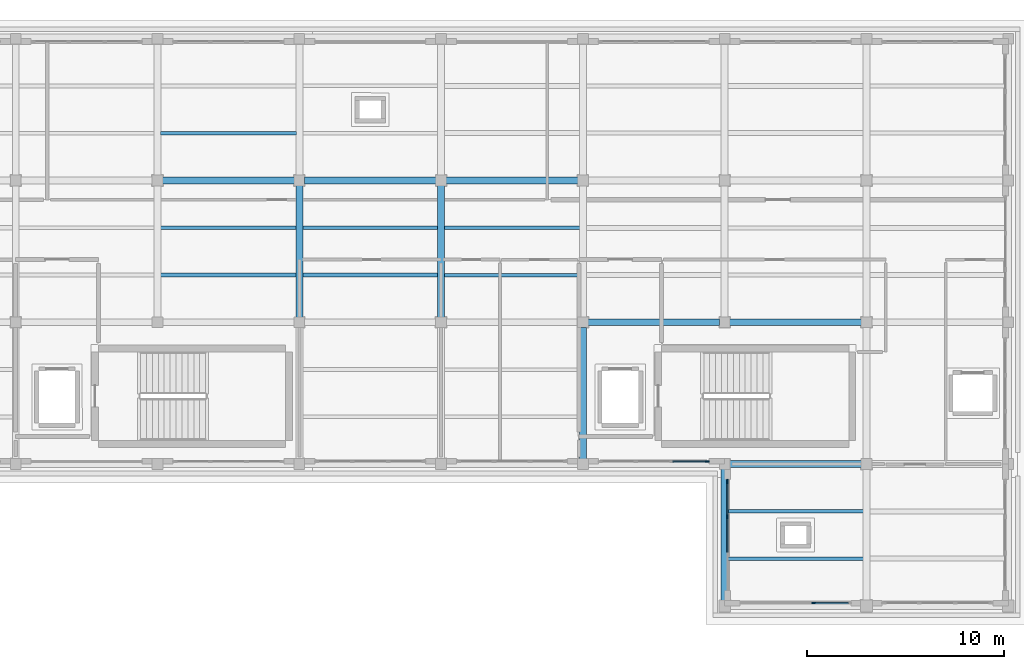
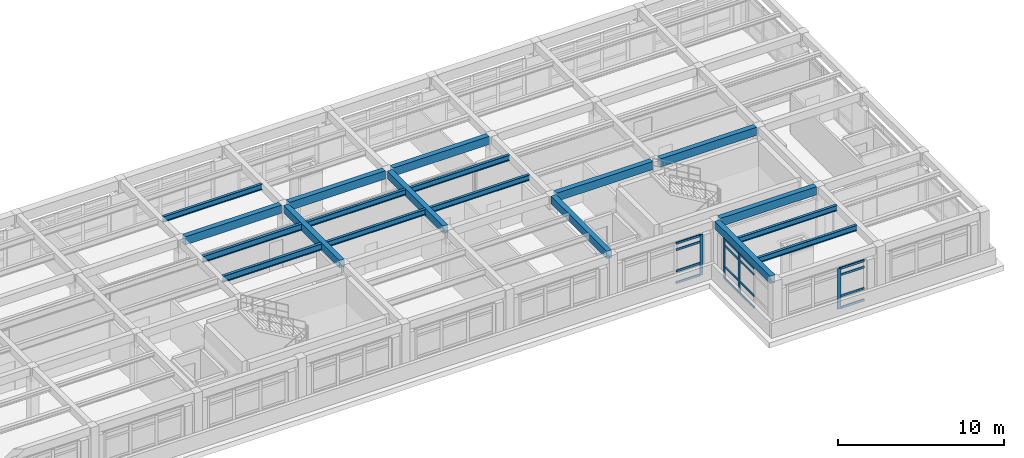
# One storey, part 6 of 21: 20 members, 19 beams, 3 elements without a shape of their own.
"""IFC4 building model written with IfcOpenShell, lengths in metres."""

from ifc_helpers import new_model, si_unit, direction, frame, origin, origin_2d, place, context, subcontext, project, spatial, rectangle, i_section, extrude, material, layer, layer_set, material_profile, profile_set, type_object, element, aggregate, save


model = new_model("IFC4")

# Units and contexts
model_context = context("Model", 3, precision=1e-05, world=origin(), true_north=direction((0.0, 1.0)))
body_context = subcontext(model_context, "Body", "Model", "MODEL_VIEW")
ifc_project = project(units=[si_unit("LENGTHUNIT", "METRE"), si_unit("AREAUNIT", "SQUARE_METRE"), si_unit("VOLUMEUNIT", "CUBIC_METRE"), si_unit("PLANEANGLEUNIT", "RADIAN"), si_unit("MASSUNIT", "GRAM", prefix="KILO")], contexts=[model_context])

# Site, building, storey
site_placement = place(None, origin())
site = spatial("IfcSite", under=ifc_project, at=site_placement, CompositionType="ELEMENT")
building_placement = place(site_placement, origin())
building = spatial("IfcBuilding", under=site, at=building_placement, Name="Solenvale Faculty of Natural Sciences", CompositionType="ELEMENT")
storey_placement = place(building_placement, frame((0.0, 0.0, 31.199951171875)))
storey = spatial("IfcBuildingStorey", under=building, at=storey_placement, Name="L07", CompositionType="ELEMENT", Elevation=31.199951171875)

# Beams
ifc_material_1 = material(Name="Concrete 40 MPa", Category="concrete")
ifc_material_profile_1 = material_profile(ifc_material_1, rectangle(XDim=0.35009765625, YDim=0.550048828125, at=origin_2d()), Name="RC-BM-350x550")
ifc_profile_set_1 = profile_set([ifc_material_profile_1], Name="Concrete 40 MPa")
beam_type_1 = type_object("IfcBeamType", Name="BM-RC-350x550", PredefinedType="BEAM", material=ifc_profile_set_1)
for number, where, z_axis, x_axis, name in (
    (1, (115.199951171875, 101.054931640625, 3.64501953125), (0.0, 1.0, 0.0), (-1.0, 0.0, 0.0), "L07 Y-Girder X115.2 (100.8..108.0)"),
    (2, (122.39990234375, 101.054931640625, 3.64501953125), (0.0, 1.0, 0.0), (-1.0, 0.0, 0.0), "L07 Y-Girder X122.4 (100.8..108.0)"),
):
    element("IfcBeam", number, at=place(storey_placement, frame(where, z_axis=z_axis, x_axis=x_axis)), inside=storey, type_object=beam_type_1, Name=name, PredefinedType="BEAM", context=body_context, shape_type="SweptSolid", body=[
        extrude(rectangle(XDim=0.35009765625, YDim=0.550048828125, at=origin_2d()), origin(), (0.0, 0.0, 1.0), 6.690185546875),
    ])
beam_1_placement = place(storey_placement, frame((129.60009765625, 93.85498046875, 3.64501953125), z_axis=(0.0, 1.0, 0.0), x_axis=(-1.0, 0.0, 0.0)))
element("IfcBeam", 3, at=beam_1_placement, inside=storey, type_object=beam_type_1, Name="L07 Y-Girder X129.6 (93.6..100.8)", PredefinedType="BEAM", context=body_context, shape_type="SweptSolid", body=[
    extrude(rectangle(XDim=0.35009765625, YDim=0.550048828125, at=origin_2d()), origin(), (0.0, 0.0, 1.0), 6.68994140625),
])
beam_2_placement = place(storey_placement, frame((136.800048828125, 86.679931640625, 3.64501953125), z_axis=(0.0, 1.0, 0.0), x_axis=(-1.0, 0.0, 0.0)))
element("IfcBeam", 4, at=beam_2_placement, inside=storey, type_object=beam_type_1, Name="L07 Y-Girder X136.8 (86.4..93.6)", PredefinedType="BEAM", context=body_context, shape_type="SweptSolid", body=[
    extrude(rectangle(XDim=0.35009765625, YDim=0.550048828125, at=origin_2d()), origin(), (0.0, 0.0, 1.0), 6.6650390625),
])
ifc_material_profile_2 = material_profile(ifc_material_1, rectangle(XDim=0.35009765625, YDim=0.60009765625, at=origin_2d()), Name="RC-BM-350x600")
ifc_profile_set_2 = profile_set([ifc_material_profile_2], Name="Concrete 40 MPa")
beam_type_2 = type_object("IfcBeamType", Name="BM-RC-350x600", PredefinedType="BEAM", material=ifc_profile_set_2)
beam_3_placement = place(storey_placement, frame((137.054931640625, 93.60009765625, 3.6201171875), z_axis=(1.0, 0.0, 0.0), x_axis=(0.0, 1.0, 0.0)))
element("IfcBeam", 5, at=beam_3_placement, inside=storey, type_object=beam_type_2, Name="L07 X-Girder Y93.6 (136.8..144.0)", PredefinedType="BEAM", context=body_context, shape_type="SweptSolid", body=[
    extrude(rectangle(XDim=0.35009765625, YDim=0.60009765625, at=origin_2d()), origin(), (0.0, 0.0, 1.0), 6.690185546875),
])
beam_4_placement = place(storey_placement, frame((129.85498046875, 100.800048828125, 3.6201171875), z_axis=(1.0, 0.0, 0.0), x_axis=(0.0, 1.0, 0.0)))
element("IfcBeam", 6, at=beam_4_placement, inside=storey, type_object=beam_type_2, Name="L07 X-Girder Y100.8 (129.6..136.8)", PredefinedType="BEAM", context=body_context, shape_type="SweptSolid", body=[
    extrude(rectangle(XDim=0.35009765625, YDim=0.60009765625, at=origin_2d()), origin(), (0.0, 0.0, 1.0), 6.68994140625),
])
for number, where, z_axis, x_axis, name in (
    (7, (137.054931640625, 100.800048828125, 3.6201171875), (1.0, 0.0, 0.0), (0.0, 1.0, 0.0), "L07 X-Girder Y100.8 (136.8..144.0)"),
    (8, (108.2548828125, 108.0, 3.6201171875), (1.0, 0.0, 0.0), (0.0, 1.0, 0.0), "L07 X-Girder Y108.0 (108.0..115.2)"),
):
    element("IfcBeam", number, at=place(storey_placement, frame(where, z_axis=z_axis, x_axis=x_axis)), inside=storey, type_object=beam_type_2, Name=name, PredefinedType="BEAM", context=body_context, shape_type="SweptSolid", body=[
        extrude(rectangle(XDim=0.35009765625, YDim=0.60009765625, at=origin_2d()), origin(), (0.0, 0.0, 1.0), 6.690185546875),
    ])
for number, where, z_axis, x_axis, name in (
    (9, (115.455078125, 108.0, 3.6201171875), (1.0, 0.0, 0.0), (0.0, 1.0, 0.0), "L07 X-Girder Y108.0 (115.2..122.4)"),
    (10, (122.655029296875, 108.0, 3.6201171875), (1.0, 0.0, 0.0), (0.0, 1.0, 0.0), "L07 X-Girder Y108.0 (122.4..129.6)"),
):
    element("IfcBeam", number, at=place(storey_placement, frame(where, z_axis=z_axis, x_axis=x_axis)), inside=storey, type_object=beam_type_2, Name=name, PredefinedType="BEAM", context=body_context, shape_type="SweptSolid", body=[
        extrude(rectangle(XDim=0.35009765625, YDim=0.60009765625, at=origin_2d()), origin(), (0.0, 0.0, 1.0), 6.68994140625),
    ])
ifc_material_2 = material(Name="Steel S355", Category="steel")
ifc_material_profile_3 = material_profile(ifc_material_2, i_section(OverallWidth=0.178955078125, OverallDepth=0.409912109375, WebThickness=0.0087890625, FlangeThickness=0.014404296875, FilletRadius=0.01611328125, at=origin_2d()), Name="W410x67")
ifc_profile_set_3 = profile_set([ifc_material_profile_3], Name="Steel S355")
beam_type_3 = type_object("IfcBeamType", Name="BM-STL-W410x67", PredefinedType="JOIST", material=ifc_profile_set_3)
for number, where, z_axis, x_axis, name in (
    (11, (122.554931640625, 103.199951171875, 3.715087890625), (1.0, 0.0, 0.0), (0.0, 1.0, 0.0), "L07 Composite Floor Joist (18,15).1"),
    (12, (122.554931640625, 105.60009765625, 3.715087890625), (1.0, 0.0, 0.0), (0.0, 1.0, 0.0), "L07 Composite Floor Joist (18,15).2"),
):
    element("IfcBeam", number, at=place(storey_placement, frame(where, z_axis=z_axis, x_axis=x_axis)), inside=storey, type_object=beam_type_3, Name=name, PredefinedType="JOIST", context=body_context, shape_type="SweptSolid", body=[
        extrude(i_section(OverallWidth=0.178955078125, OverallDepth=0.409912109375, WebThickness=0.0087890625, FlangeThickness=0.014404296875, FilletRadius=0.01611328125, at=origin_2d()), origin(), (0.0, 0.0, 1.0), 6.89013671875),
    ])
for number, where, z_axis, x_axis, name in (
    (13, (136.955078125, 88.800048828125, 3.715087890625), (1.0, 0.0, 0.0), (0.0, 1.0, 0.0), "L07 Composite Floor Joist (20,13).1"),
    (14, (136.955078125, 91.199951171875, 3.715087890625), (1.0, 0.0, 0.0), (0.0, 1.0, 0.0), "L07 Composite Floor Joist (20,13).2"),
):
    element("IfcBeam", number, at=place(storey_placement, frame(where, z_axis=z_axis, x_axis=x_axis)), inside=storey, type_object=beam_type_3, Name=name, PredefinedType="JOIST", context=body_context, shape_type="SweptSolid", body=[
        extrude(i_section(OverallWidth=0.178955078125, OverallDepth=0.409912109375, WebThickness=0.0087890625, FlangeThickness=0.014404296875, FilletRadius=0.01611328125, at=origin_2d()), origin(), (0.0, 0.0, 1.0), 6.889892578125),
    ])
ifc_material_profile_4 = material_profile(ifc_material_2, i_section(OverallWidth=0.180908203125, OverallDepth=0.4169921875, WebThickness=0.010986328125, FlangeThickness=0.018310546875, FilletRadius=0.01611328125, at=origin_2d()), Name="W410x85")
ifc_profile_set_4 = profile_set([ifc_material_profile_4], Name="Steel S355")
beam_type_4 = type_object("IfcBeamType", Name="BM-STL-W410x85", PredefinedType="JOIST", material=ifc_profile_set_4)
beam_5_placement = place(storey_placement, frame((108.155029296875, 110.39990234375, 3.711669921875), z_axis=(1.0, 0.0, 0.0), x_axis=(0.0, 1.0, 0.0)))
element("IfcBeam", 15, at=beam_5_placement, inside=storey, type_object=beam_type_4, Name="L07 Composite Floor Joist (16,16).1", PredefinedType="JOIST", context=body_context, shape_type="SweptSolid", body=[
    extrude(i_section(OverallWidth=0.180908203125, OverallDepth=0.4169921875, WebThickness=0.010986328125, FlangeThickness=0.018310546875, FilletRadius=0.01611328125, at=origin_2d()), origin(), (0.0, 0.0, 1.0), 6.889892578125),
])
for number, where, z_axis, x_axis, name in (
    (16, (115.35498046875, 103.199951171875, 3.711669921875), (1.0, 0.0, 0.0), (0.0, 1.0, 0.0), "L07 Composite Floor Joist (17,15).1"),
    (17, (115.35498046875, 105.60009765625, 3.711669921875), (1.0, 0.0, 0.0), (0.0, 1.0, 0.0), "L07 Composite Floor Joist (17,15).2"),
):
    element("IfcBeam", number, at=place(storey_placement, frame(where, z_axis=z_axis, x_axis=x_axis)), inside=storey, type_object=beam_type_4, Name=name, PredefinedType="JOIST", context=body_context, shape_type="SweptSolid", body=[
        extrude(i_section(OverallWidth=0.180908203125, OverallDepth=0.4169921875, WebThickness=0.010986328125, FlangeThickness=0.018310546875, FilletRadius=0.01611328125, at=origin_2d()), origin(), (0.0, 0.0, 1.0), 6.89013671875),
    ])
ifc_material_profile_5 = material_profile(ifc_material_2, i_section(OverallWidth=0.19091796875, OverallDepth=0.4599609375, WebThickness=0.010009765625, FlangeThickness=0.01611328125, FilletRadius=0.01806640625, at=origin_2d()), Name="W460x82")
ifc_profile_set_5 = profile_set([ifc_material_profile_5], Name="Steel S355")
beam_type_5 = type_object("IfcBeamType", Name="BM-STL-W460x82", PredefinedType="JOIST", material=ifc_profile_set_5)
for number, where, z_axis, x_axis, name in (
    (18, (108.155029296875, 103.199951171875, 3.68994140625), (1.0, 0.0, 0.0), (0.0, 1.0, 0.0), "L07 Composite Floor Joist (16,15).1"),
    (19, (108.155029296875, 105.60009765625, 3.68994140625), (1.0, 0.0, 0.0), (0.0, 1.0, 0.0), "L07 Composite Floor Joist (16,15).2"),
):
    element("IfcBeam", number, at=place(storey_placement, frame(where, z_axis=z_axis, x_axis=x_axis)), inside=storey, type_object=beam_type_5, Name=name, PredefinedType="JOIST", context=body_context, shape_type="SweptSolid", body=[
        extrude(i_section(OverallWidth=0.19091796875, OverallDepth=0.4599609375, WebThickness=0.010009765625, FlangeThickness=0.01611328125, FilletRadius=0.01806640625, at=origin_2d()), origin(), (0.0, 0.0, 1.0), 6.889892578125),
    ])

# Curtain wall, member
ifc_material_3 = material(Name="Anodised bronze aluminium", Category="aluminium")
ifc_layer = layer(ifc_material_3, 0.179931640625)
ifc_layer_set = layer_set([ifc_layer], Name="Anodised bronze aluminium")
curtain_wall_type = type_object("IfcCurtainWallType", Name="CW-TWR-MOD", PredefinedType="USERDEFINED", material=ifc_layer_set)
curtain_wall_1_placement = place(storey_placement, origin())
curtain_wall_1 = element("IfcCurtainWall", 20, at=curtain_wall_1_placement, inside=storey, type_object=curtain_wall_type, Name="L07 Curtain Wall CW-L07-P1-E4-B7", ObjectType="UNITISED CURTAIN WALL", PredefinedType="USERDEFINED")
ifc_material_profile_6 = material_profile(ifc_material_3, rectangle(XDim=0.074951171875, YDim=0.2099609375, at=origin_2d()), Name="ALU-MUL-75x210")
ifc_profile_set_6 = profile_set([ifc_material_profile_6], Name="Anodised bronze aluminium")
member_type_1 = type_object("IfcMemberType", Name="CWM-ALU-75x210", PredefinedType="MULLION", material=ifc_profile_set_6)
member_1_placement = place(storey_placement, frame((135.91259765625, 93.742431640625, 0.0), z_axis=(0.0, 0.0, 1.0), x_axis=(0.0, 1.0, 0.0)))
member_1 = element("IfcMember", 21, at=member_1_placement, type_object=member_type_1, Name="CW-04 mullion 4", PredefinedType="MULLION", context=body_context, shape_type="SweptSolid", body=[
    extrude(rectangle(XDim=0.074951171875, YDim=0.2099609375, at=origin_2d()), origin(), (0.0, 0.0, 1.0), 2.9599609375),
])

# Curtain wall, members
curtain_wall_2_placement = place(storey_placement, origin())
curtain_wall_2 = element("IfcCurtainWall", 22, at=curtain_wall_2_placement, inside=storey, type_object=curtain_wall_type, Name="L07 Curtain Wall CW-L07-P1-E5-B1", ObjectType="UNITISED CURTAIN WALL", PredefinedType="USERDEFINED")
member_2_placement = place(storey_placement, frame((136.9423828125, 92.71240234375, 0.0), z_axis=(0.0, 0.0, 1.0), x_axis=(1.0, 0.0, 0.0)))
member_2 = element("IfcMember", 23, at=member_2_placement, type_object=member_type_1, Name="CW-04 mullion 1", PredefinedType="MULLION", context=body_context, shape_type="SweptSolid", body=[
    extrude(rectangle(XDim=0.074951171875, YDim=0.2099609375, at=origin_2d()), origin(), (0.0, 0.0, 1.0), 2.9599609375),
])
member_3_placement = place(storey_placement, frame((136.9423828125, 90.916748046875, 0.0), z_axis=(0.0, 0.0, 1.0), x_axis=(1.0, 0.0, 0.0)))
member_3 = element("IfcMember", 24, at=member_3_placement, type_object=member_type_1, Name="CW-04 mullion 2", PredefinedType="MULLION", context=body_context, shape_type="SweptSolid", body=[
    extrude(rectangle(XDim=0.074951171875, YDim=0.2099609375, at=origin_2d()), origin(), (0.0, 0.0, 1.0), 2.9599609375),
])

# Curtain wall, member
curtain_wall_3_placement = place(storey_placement, origin())
curtain_wall_3 = element("IfcCurtainWall", 25, at=curtain_wall_3_placement, inside=storey, type_object=curtain_wall_type, Name="L07 Curtain Wall CW-L07-P1-E6-B1", ObjectType="UNITISED CURTAIN WALL", PredefinedType="USERDEFINED")
member_4_placement = place(storey_placement, frame((141.316650390625, 86.54248046875, 0.0), z_axis=(0.0, 0.0, 1.0), x_axis=(0.0, 1.0, 0.0)))
member_4 = element("IfcMember", 26, at=member_4_placement, type_object=member_type_1, Name="CW-04 mullion 3", PredefinedType="MULLION", context=body_context, shape_type="SweptSolid", body=[
    extrude(rectangle(XDim=0.074951171875, YDim=0.2099609375, at=origin_2d()), origin(), (0.0, 0.0, 1.0), 2.9599609375),
])

# Member
ifc_material_profile_7 = material_profile(ifc_material_3, rectangle(XDim=0.074951171875, YDim=0.155029296875, at=origin_2d()), Name="ALU-TRN-75x155")
ifc_profile_set_7 = profile_set([ifc_material_profile_7], Name="Anodised bronze aluminium")
member_type_2 = type_object("IfcMemberType", Name="CWT-ALU-75x155", PredefinedType="USERDEFINED", material=ifc_profile_set_7)
member_5_placement = place(storey_placement, frame((134.154052734375, 93.742431640625, 0.03759765625), z_axis=(1.0, 0.0, 0.0), x_axis=(0.0, 1.0, 0.0)))
member_5 = element("IfcMember", 27, at=member_5_placement, type_object=member_type_2, Name="CW-04 transom 3.1", ObjectType="TRANSOM", PredefinedType="USERDEFINED", context=body_context, shape_type="SweptSolid", body=[
    extrude(rectangle(XDim=0.074951171875, YDim=0.155029296875, at=origin_2d()), origin(), (0.0, 0.0, 1.0), 1.720947265625),
])

member_6_placement = place(storey_placement, frame((134.154052734375, 93.742431640625, 0.900146484375), z_axis=(1.0, 0.0, 0.0), x_axis=(0.0, 1.0, 0.0)))
member_6 = element("IfcMember", 28, at=member_6_placement, type_object=member_type_2, Name="CW-04 transom 3.2", ObjectType="TRANSOM", PredefinedType="USERDEFINED", context=body_context, shape_type="SweptSolid", body=[
    extrude(rectangle(XDim=0.074951171875, YDim=0.155029296875, at=origin_2d()), origin(), (0.0, 0.0, 1.0), 1.720947265625),
])

member_7_placement = place(storey_placement, frame((134.154052734375, 93.742431640625, 2.4599609375), z_axis=(1.0, 0.0, 0.0), x_axis=(0.0, 1.0, 0.0)))
member_7 = element("IfcMember", 29, at=member_7_placement, type_object=member_type_2, Name="CW-04 transom 3.3", ObjectType="TRANSOM", PredefinedType="USERDEFINED", context=body_context, shape_type="SweptSolid", body=[
    extrude(rectangle(XDim=0.074951171875, YDim=0.155029296875, at=origin_2d()), origin(), (0.0, 0.0, 1.0), 1.720947265625),
])

member_8_placement = place(storey_placement, frame((134.154052734375, 93.742431640625, 2.922607421875), z_axis=(1.0, 0.0, 0.0), x_axis=(0.0, 1.0, 0.0)))
member_8 = element("IfcMember", 30, at=member_8_placement, type_object=member_type_2, Name="CW-04 transom 3.4", ObjectType="TRANSOM", PredefinedType="USERDEFINED", context=body_context, shape_type="SweptSolid", body=[
    extrude(rectangle(XDim=0.074951171875, YDim=0.155029296875, at=origin_2d()), origin(), (0.0, 0.0, 1.0), 1.720947265625),
])

aggregate(curtain_wall_1, [member_1, member_5, member_6, member_7, member_8])

member_9_placement = place(storey_placement, frame((136.9423828125, 92.675048828125, 0.03759765625), z_axis=(0.0, -1.0, 0.0), x_axis=(1.0, 0.0, 0.0)))
member_9 = element("IfcMember", 31, at=member_9_placement, type_object=member_type_2, Name="CW-04 transom 1.1", ObjectType="TRANSOM", PredefinedType="USERDEFINED", context=body_context, shape_type="SweptSolid", body=[
    extrude(rectangle(XDim=0.074951171875, YDim=0.155029296875, at=origin_2d()), origin(), (0.0, 0.0, 1.0), 1.720947265625),
])

member_10_placement = place(storey_placement, frame((136.9423828125, 92.675048828125, 0.900146484375), z_axis=(0.0, -1.0, 0.0), x_axis=(1.0, 0.0, 0.0)))
member_10 = element("IfcMember", 32, at=member_10_placement, type_object=member_type_2, Name="CW-04 transom 1.2", ObjectType="TRANSOM", PredefinedType="USERDEFINED", context=body_context, shape_type="SweptSolid", body=[
    extrude(rectangle(XDim=0.074951171875, YDim=0.155029296875, at=origin_2d()), origin(), (0.0, 0.0, 1.0), 1.720947265625),
])

member_11_placement = place(storey_placement, frame((136.9423828125, 92.675048828125, 2.4599609375), z_axis=(0.0, -1.0, 0.0), x_axis=(1.0, 0.0, 0.0)))
member_11 = element("IfcMember", 33, at=member_11_placement, type_object=member_type_2, Name="CW-04 transom 1.3", ObjectType="TRANSOM", PredefinedType="USERDEFINED", context=body_context, shape_type="SweptSolid", body=[
    extrude(rectangle(XDim=0.074951171875, YDim=0.155029296875, at=origin_2d()), origin(), (0.0, 0.0, 1.0), 1.720947265625),
])

member_12_placement = place(storey_placement, frame((136.9423828125, 92.675048828125, 2.922607421875), z_axis=(0.0, -1.0, 0.0), x_axis=(1.0, 0.0, 0.0)))
member_12 = element("IfcMember", 34, at=member_12_placement, type_object=member_type_2, Name="CW-04 transom 1.4", ObjectType="TRANSOM", PredefinedType="USERDEFINED", context=body_context, shape_type="SweptSolid", body=[
    extrude(rectangle(XDim=0.074951171875, YDim=0.155029296875, at=origin_2d()), origin(), (0.0, 0.0, 1.0), 1.720947265625),
])

member_13_placement = place(storey_placement, frame((136.9423828125, 90.879150390625, 0.03759765625), z_axis=(0.0, -1.0, 0.0), x_axis=(1.0, 0.0, 0.0)))
member_13 = element("IfcMember", 35, at=member_13_placement, type_object=member_type_2, Name="CW-04 transom 2.1", ObjectType="TRANSOM", PredefinedType="USERDEFINED", context=body_context, shape_type="SweptSolid", body=[
    extrude(rectangle(XDim=0.074951171875, YDim=0.155029296875, at=origin_2d()), origin(), (0.0, 0.0, 1.0), 1.75830078125),
])

member_14_placement = place(storey_placement, frame((136.9423828125, 90.879150390625, 0.900146484375), z_axis=(0.0, -1.0, 0.0), x_axis=(1.0, 0.0, 0.0)))
member_14 = element("IfcMember", 36, at=member_14_placement, type_object=member_type_2, Name="CW-04 transom 2.2", ObjectType="TRANSOM", PredefinedType="USERDEFINED", context=body_context, shape_type="SweptSolid", body=[
    extrude(rectangle(XDim=0.074951171875, YDim=0.155029296875, at=origin_2d()), origin(), (0.0, 0.0, 1.0), 1.75830078125),
])

member_15_placement = place(storey_placement, frame((136.9423828125, 90.879150390625, 2.4599609375), z_axis=(0.0, -1.0, 0.0), x_axis=(1.0, 0.0, 0.0)))
member_15 = element("IfcMember", 37, at=member_15_placement, type_object=member_type_2, Name="CW-04 transom 2.3", ObjectType="TRANSOM", PredefinedType="USERDEFINED", context=body_context, shape_type="SweptSolid", body=[
    extrude(rectangle(XDim=0.074951171875, YDim=0.155029296875, at=origin_2d()), origin(), (0.0, 0.0, 1.0), 1.75830078125),
])

member_16_placement = place(storey_placement, frame((136.9423828125, 90.879150390625, 2.922607421875), z_axis=(0.0, -1.0, 0.0), x_axis=(1.0, 0.0, 0.0)))
member_16 = element("IfcMember", 38, at=member_16_placement, type_object=member_type_2, Name="CW-04 transom 2.4", ObjectType="TRANSOM", PredefinedType="USERDEFINED", context=body_context, shape_type="SweptSolid", body=[
    extrude(rectangle(XDim=0.074951171875, YDim=0.155029296875, at=origin_2d()), origin(), (0.0, 0.0, 1.0), 1.75830078125),
])

aggregate(curtain_wall_2, [member_2, member_3, member_9, member_10, member_11, member_12, member_13, member_14, member_15, member_16])

member_17_placement = place(storey_placement, frame((141.354248046875, 86.54248046875, 0.03759765625), z_axis=(1.0, 0.0, 0.0), x_axis=(0.0, 1.0, 0.0)))
member_17 = element("IfcMember", 39, at=member_17_placement, type_object=member_type_2, Name="CW-04 transom 3.1", ObjectType="TRANSOM", PredefinedType="USERDEFINED", context=body_context, shape_type="SweptSolid", body=[
    extrude(rectangle(XDim=0.074951171875, YDim=0.155029296875, at=origin_2d()), origin(), (0.0, 0.0, 1.0), 1.720703125),
])

member_18_placement = place(storey_placement, frame((141.354248046875, 86.54248046875, 0.900146484375), z_axis=(1.0, 0.0, 0.0), x_axis=(0.0, 1.0, 0.0)))
member_18 = element("IfcMember", 40, at=member_18_placement, type_object=member_type_2, Name="CW-04 transom 3.2", ObjectType="TRANSOM", PredefinedType="USERDEFINED", context=body_context, shape_type="SweptSolid", body=[
    extrude(rectangle(XDim=0.074951171875, YDim=0.155029296875, at=origin_2d()), origin(), (0.0, 0.0, 1.0), 1.720703125),
])

member_19_placement = place(storey_placement, frame((141.354248046875, 86.54248046875, 2.4599609375), z_axis=(1.0, 0.0, 0.0), x_axis=(0.0, 1.0, 0.0)))
member_19 = element("IfcMember", 41, at=member_19_placement, type_object=member_type_2, Name="CW-04 transom 3.3", ObjectType="TRANSOM", PredefinedType="USERDEFINED", context=body_context, shape_type="SweptSolid", body=[
    extrude(rectangle(XDim=0.074951171875, YDim=0.155029296875, at=origin_2d()), origin(), (0.0, 0.0, 1.0), 1.720703125),
])

member_20_placement = place(storey_placement, frame((141.354248046875, 86.54248046875, 2.922607421875), z_axis=(1.0, 0.0, 0.0), x_axis=(0.0, 1.0, 0.0)))
member_20 = element("IfcMember", 42, at=member_20_placement, type_object=member_type_2, Name="CW-04 transom 3.4", ObjectType="TRANSOM", PredefinedType="USERDEFINED", context=body_context, shape_type="SweptSolid", body=[
    extrude(rectangle(XDim=0.074951171875, YDim=0.155029296875, at=origin_2d()), origin(), (0.0, 0.0, 1.0), 1.720703125),
])

aggregate(curtain_wall_3, [member_4, member_17, member_18, member_19, member_20])

save(model, "model.ifc")
